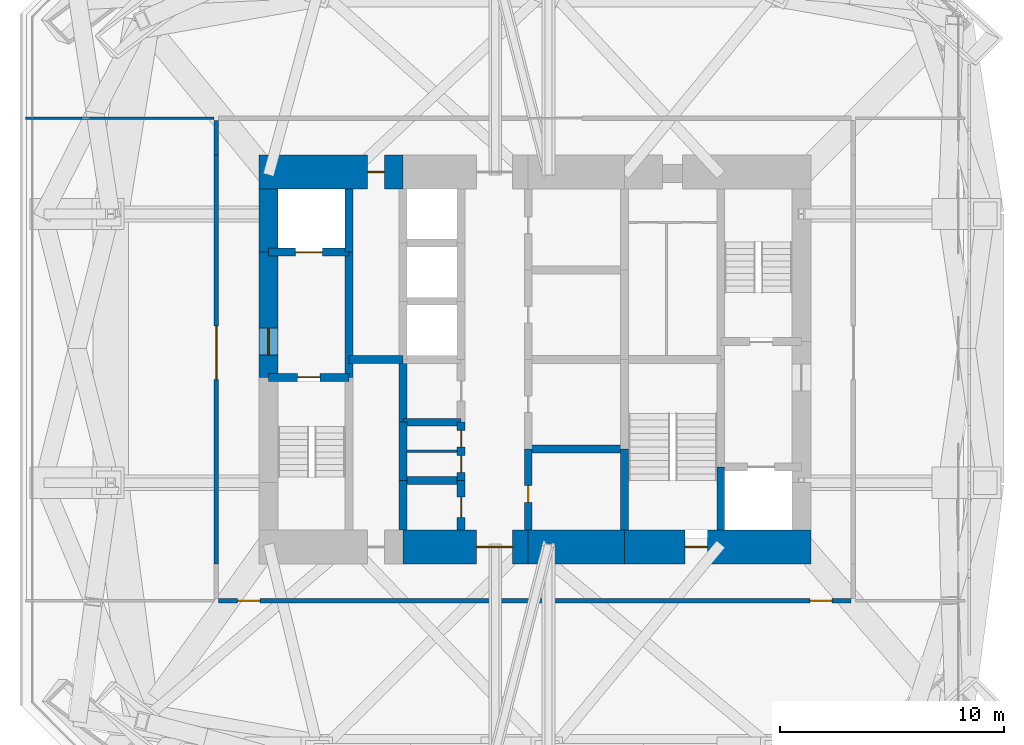
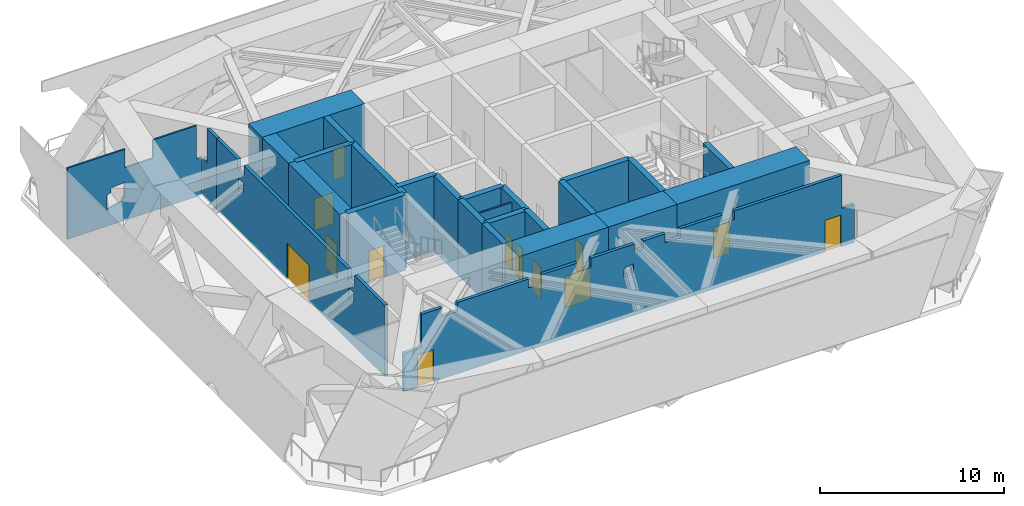
# One storey, part 4 of 8: 27 walls, 13 doors, 13 openings.
"""IFC4 building model written with IfcOpenShell, lengths in metres."""

from ifc_helpers import new_model, si_unit, direction, frame, frame_2d, origin, place, context, subcontext, project, spatial, polyline, rectangle, outline, extrude, material, layer, layer_set, constituent, constituent_set, type_object, element, fill, save


model = new_model("IFC4")

# Units and contexts
model_context = context("Model", 3, precision=1e-05, world=origin(), true_north=direction((0.0, 1.0)))
body_context = subcontext(model_context, "Body", "Model", "MODEL_VIEW")
ifc_project = project(units=[si_unit("LENGTHUNIT", "METRE"), si_unit("AREAUNIT", "SQUARE_METRE"), si_unit("VOLUMEUNIT", "CUBIC_METRE"), si_unit("PLANEANGLEUNIT", "RADIAN"), si_unit("MASSUNIT", "GRAM", prefix="KILO")], contexts=[model_context])

# Site, building, storey
site_placement = place(None, origin())
site = spatial("IfcSite", under=ifc_project, at=site_placement, CompositionType="ELEMENT")
building_placement = place(site_placement, origin())
building = spatial("IfcBuilding", under=site, at=building_placement, Name="Jalousie Tower", CompositionType="ELEMENT")
storey_placement = place(building_placement, frame((0.0, 0.0, 149.35009765625)))
storey = spatial("IfcBuildingStorey", under=building, at=storey_placement, Name="L40", CompositionType="ELEMENT", Elevation=149.35009765625)

# Wall, opening, door
ifc_material_1 = material(Name="Concrete f'c 120 MPa", Category="concrete")
ifc_layer_1 = layer(ifc_material_1, 1.5)
ifc_layer_set_1 = layer_set([ifc_layer_1], Name="Concrete f'c 120 MPa")
wall_type_1 = type_object("IfcWallType", Name="CORE WALL 1500", PredefinedType="SHEAR", material=ifc_layer_set_1)
wall_1_placement = place(storey_placement, frame((26.0, 10.125, 0.0), z_axis=(0.0, 0.0, 1.0), x_axis=(1.0, 0.0, 0.0)))
wall_1 = element("IfcWall", 1, at=wall_1_placement, inside=storey, type_object=wall_type_1, Name="Core wall SB L40", PredefinedType="SHEAR", context=body_context, shape_type="SweptSolid", body=[
    extrude(rectangle(XDim=5.60009765625, YDim=1.5, at=frame_2d((2.800048828125, 0.0))), origin(), (0.0, 0.0, 1.0), 5.0),
])
opening_1_placement = place(wall_1_placement, frame((3.300048828125, 0.0, 0.0)))
opening_1 = element("IfcOpeningElement", 2, at=opening_1_placement, cuts=wall_1, Name="Opening D15", PredefinedType="OPENING", context=body_context, shape_type="SweptSolid", body=[
    extrude(rectangle(XDim=1.60009765625, YDim=2.10009765625, at=frame_2d((0.800048828125, 1.050048828125))), frame((0.0, 0.760009765625, 0.0), z_axis=(0.0, -1.0, 0.0), x_axis=(1.0, 0.0, 0.0)), (0.0, 0.0, 1.0), 1.52001953125),
])
ifc_material_2 = material(Name="Steel fire door", Category="steel")
door_type_1 = type_object("IfcDoorType", Name="LIFT LOBBY DOOR 1600", OperationType="DOUBLE_DOOR_SINGLE_SWING", PredefinedType="DOOR", material=ifc_material_2)
door_1_placement = place(opening_1_placement, origin())
door_1 = element("IfcDoor", 3, at=door_1_placement, inside=storey, type_object=door_type_1, Name="Lift lobby south door", OperationType="DOUBLE_DOOR_SINGLE_SWING", OverallHeight=2.10009765625, OverallWidth=1.60009765625, PredefinedType="DOOR", context=body_context, shape_type="SweptSolid", body=[
    extrude(rectangle(XDim=1.60009765625, YDim=2.10009765625, at=frame_2d((0.800048828125, 1.050048828125))), frame((0.0, 0.02490234375, 0.0), z_axis=(0.0, -1.0, 0.0), x_axis=(1.0, 0.0, 0.0)), (0.0, 0.0, 1.0), 0.050048828125),
])
fill(opening_1, door_1)

# Wall
wall_2_placement = place(storey_placement, frame((31.60009765625, 10.125, 0.0), z_axis=(0.0, 0.0, 1.0), x_axis=(1.0, 0.0, 0.0)))
element("IfcWall", 4, at=wall_2_placement, inside=storey, type_object=wall_type_1, Name="Core wall SC L40", PredefinedType="SHEAR", context=body_context, shape_type="SweptSolid", body=[
    extrude(rectangle(XDim=4.2998046875, YDim=1.5, at=frame_2d((2.14990234375, 0.0))), origin(), (0.0, 0.0, 1.0), 5.0),
])

# Wall, opening, door
wall_3_placement = place(storey_placement, frame((35.89990234375, 10.125, 0.0), z_axis=(0.0, 0.0, 1.0), x_axis=(1.0, 0.0, 0.0)))
wall_3 = element("IfcWall", 5, at=wall_3_placement, inside=storey, type_object=wall_type_1, Name="Core wall SD L40", PredefinedType="SHEAR", context=body_context, shape_type="SweptSolid", body=[
    extrude(rectangle(XDim=8.3251953125, YDim=1.5, at=frame_2d((4.16259765625, 0.0))), origin(), (0.0, 0.0, 1.0), 5.0),
])
opening_2_placement = place(wall_3_placement, frame((2.699951171875, 0.0, 0.0)))
opening_2 = element("IfcOpeningElement", 6, at=opening_2_placement, cuts=wall_3, Name="Opening D10", PredefinedType="OPENING", context=body_context, shape_type="SweptSolid", body=[
    extrude(rectangle(XDim=1.0, YDim=2.10009765625, at=frame_2d((0.5, 1.050048828125))), frame((0.0, 0.760009765625, 0.0), z_axis=(0.0, -1.0, 0.0), x_axis=(1.0, 0.0, 0.0)), (0.0, 0.0, 1.0), 1.52001953125),
])
ifc_material_3 = material(Name="Steel fire door", Category="steel")
door_type_2 = type_object("IfcDoorType", Name="STAIR DOOR 1000", OperationType="SINGLE_SWING_LEFT", PredefinedType="DOOR", material=ifc_material_3)
door_2_placement = place(opening_2_placement, origin())
door_2 = element("IfcDoor", 7, at=door_2_placement, inside=storey, type_object=door_type_2, Name="Exit stair C door", OperationType="SINGLE_SWING_RIGHT", OverallHeight=2.10009765625, OverallWidth=1.0, PredefinedType="DOOR", context=body_context, shape_type="SweptSolid", body=[
    extrude(rectangle(XDim=1.0, YDim=2.10009765625, at=frame_2d((0.5, 1.050048828125))), frame((0.0, 0.02490234375, 0.0), z_axis=(0.0, -1.0, 0.0), x_axis=(1.0, 0.0, 0.0)), (0.0, 0.0, 1.0), 0.050048828125),
])
fill(opening_2, door_2)

wall_4_placement = place(storey_placement, frame((26.0, 26.875, 0.0), z_axis=(0.0, 0.0, 1.0), x_axis=(-1.0, 0.0, 0.0)))
wall_4 = element("IfcWall", 8, at=wall_4_placement, inside=storey, type_object=wall_type_1, Name="Core wall ND L40", PredefinedType="SHEAR", context=body_context, shape_type="SweptSolid", body=[
    extrude(rectangle(XDim=6.425048828125, YDim=1.5, at=frame_2d((3.21240234375, 0.0))), origin(), (0.0, 0.0, 1.0), 5.0),
])
opening_3_placement = place(wall_4_placement, frame((0.824951171875, 0.0, 0.0)))
opening_3 = element("IfcOpeningElement", 9, at=opening_3_placement, cuts=wall_4, Name="Opening D16", PredefinedType="OPENING", context=body_context, shape_type="SweptSolid", body=[
    extrude(rectangle(XDim=0.75, YDim=2.10009765625, at=frame_2d((0.375, 1.050048828125))), frame((0.0, 0.760009765625, 0.0), z_axis=(0.0, -1.0, 0.0), x_axis=(1.0, 0.0, 0.0)), (0.0, 0.0, 1.0), 1.52001953125),
])
ifc_material_4 = material(Name="Steel fire door", Category="steel")
door_type_3 = type_object("IfcDoorType", Name="RISER DOOR 750", OperationType="SINGLE_SWING_LEFT", PredefinedType="DOOR", material=ifc_material_4)
door_3_placement = place(opening_3_placement, origin())
door_3 = element("IfcDoor", 10, at=door_3_placement, inside=storey, type_object=door_type_3, Name="North riser door", OperationType="SINGLE_SWING_RIGHT", OverallHeight=2.10009765625, OverallWidth=0.75, PredefinedType="DOOR", context=body_context, shape_type="SweptSolid", body=[
    extrude(rectangle(XDim=0.75, YDim=2.10009765625, at=frame_2d((0.375, 1.050048828125))), frame((0.0, 0.02490234375, 0.0), z_axis=(0.0, -1.0, 0.0), x_axis=(1.0, 0.0, 0.0)), (0.0, 0.0, 1.0), 0.050048828125),
])
fill(opening_3, door_3)

# Walls
ifc_material_5 = material(Name="Concrete f'c 120 MPa", Category="concrete")
ifc_layer_2 = layer(ifc_material_5, 0.35009765625)
ifc_layer_set_2 = layer_set([ifc_layer_2], Name="Concrete f'c 120 MPa")
wall_type_2 = type_object("IfcWallType", Name="CORE WALL 350", PredefinedType="SHEAR", material=ifc_layer_set_2)
wall_5_placement = place(storey_placement, frame((23.60009765625, 17.699951171875, 0.0), z_axis=(0.0, 0.0, 1.0), x_axis=(0.0, 1.0, 0.0)))
element("IfcWall", 11, at=wall_5_placement, inside=storey, type_object=wall_type_2, Name="Core wall X23.6B L40", PredefinedType="SHEAR", context=body_context, shape_type="SweptSolid", body=[
    extrude(rectangle(XDim=5.60009765625, YDim=0.35009765625, at=frame_2d((2.800048828125, 0.0))), origin(), (0.0, 0.0, 1.0), 5.0),
])
wall_6_placement = place(storey_placement, frame((23.60009765625, 23.300048828125, 0.0), z_axis=(0.0, 0.0, 1.0), x_axis=(0.0, 1.0, 0.0)))
element("IfcWall", 12, at=wall_6_placement, inside=storey, type_object=wall_type_2, Name="Core wall X23.6C L40", PredefinedType="SHEAR", context=body_context, shape_type="SweptSolid", body=[
    extrude(rectangle(XDim=2.824951171875, YDim=0.35009765625, at=frame_2d((1.41259765625, 0.0))), origin(), (0.0, 0.0, 1.0), 5.0),
])
wall_7_placement = place(storey_placement, frame((26.0, 10.875, 0.0), z_axis=(0.0, 0.0, 1.0), x_axis=(0.0, 1.0, 0.0)))
element("IfcWall", 13, at=wall_7_placement, inside=storey, type_object=wall_type_2, Name="Core wall X26A L40", PredefinedType="SHEAR", context=body_context, shape_type="SweptSolid", body=[
    extrude(rectangle(XDim=2.22509765625, YDim=0.35009765625, at=frame_2d((1.112548828125, 0.0))), origin(), (0.0, 0.0, 1.0), 5.0),
])
wall_8_placement = place(storey_placement, frame((26.0, 13.10009765625, 0.0), z_axis=(0.0, 0.0, 1.0), x_axis=(0.0, 1.0, 0.0)))
element("IfcWall", 14, at=wall_8_placement, inside=storey, type_object=wall_type_2, Name="Core wall X26B L40", PredefinedType="SHEAR", context=body_context, shape_type="SweptSolid", body=[
    extrude(rectangle(XDim=2.599853515625, YDim=0.35009765625, at=frame_2d((1.2998046875, 0.0))), origin(), (0.0, 0.0, 1.0), 5.0),
])
wall_9_placement = place(storey_placement, frame((26.0, 15.699951171875, 0.0), z_axis=(0.0, 0.0, 1.0), x_axis=(0.0, 1.0, 0.0)))
element("IfcWall", 15, at=wall_9_placement, inside=storey, type_object=wall_type_2, Name="Core wall X26C L40", PredefinedType="SHEAR", context=body_context, shape_type="SweptSolid", body=[
    extrude(rectangle(XDim=2.800048828125, YDim=0.35009765625, at=frame_2d((1.39990234375, 0.0))), origin(), (0.0, 0.0, 1.0), 5.0),
])

# Wall, opening, door
wall_10_placement = place(storey_placement, frame((28.60009765625, 10.875, 0.0), z_axis=(0.0, 0.0, 1.0), x_axis=(0.0, 1.0, 0.0)))
wall_10 = element("IfcWall", 16, at=wall_10_placement, inside=storey, type_object=wall_type_2, Name="Core wall X28.6A L40", PredefinedType="SHEAR", context=body_context, shape_type="SweptSolid", body=[
    extrude(rectangle(XDim=2.22509765625, YDim=0.35009765625, at=frame_2d((1.112548828125, 0.0))), origin(), (0.0, 0.0, 1.0), 5.0),
])
opening_4_placement = place(wall_10_placement, frame((0.574951171875, 0.0, 0.0)))
opening_4 = element("IfcOpeningElement", 17, at=opening_4_placement, cuts=wall_10, Name="Opening D24", PredefinedType="OPENING", context=body_context, shape_type="SweptSolid", body=[
    extrude(rectangle(XDim=0.89990234375, YDim=2.10009765625, at=frame_2d((0.449951171875, 1.050048828125))), frame((0.0, 0.18505859375, 0.0), z_axis=(0.0, -1.0, 0.0), x_axis=(1.0, 0.0, 0.0)), (0.0, 0.0, 1.0), 0.3701171875),
])
ifc_material_6 = material(Name="Steel fire door", Category="steel")
door_type_4 = type_object("IfcDoorType", Name="CORE ROOM DOOR 900", OperationType="SINGLE_SWING_LEFT", PredefinedType="DOOR", material=ifc_material_6)
door_4_placement = place(opening_4_placement, origin())
door_4 = element("IfcDoor", 18, at=door_4_placement, inside=storey, type_object=door_type_4, Name="Maintenance store door", OperationType="SINGLE_SWING_RIGHT", OverallHeight=2.10009765625, OverallWidth=0.89990234375, PredefinedType="DOOR", context=body_context, shape_type="SweptSolid", body=[
    extrude(rectangle(XDim=0.89990234375, YDim=2.10009765625, at=frame_2d((0.449951171875, 1.050048828125))), frame((0.0, 0.02490234375, 0.0), z_axis=(0.0, -1.0, 0.0), x_axis=(1.0, 0.0, 0.0)), (0.0, 0.0, 1.0), 0.050048828125),
])
fill(opening_4, door_4)

# Wall, openings, doors
wall_11_placement = place(storey_placement, frame((28.60009765625, 13.10009765625, 0.0), z_axis=(0.0, 0.0, 1.0), x_axis=(0.0, 1.0, 0.0)))
wall_11 = element("IfcWall", 19, at=wall_11_placement, inside=storey, type_object=wall_type_2, Name="Core wall X28.6B L40", PredefinedType="SHEAR", context=body_context, shape_type="SweptSolid", body=[
    extrude(rectangle(XDim=2.599853515625, YDim=0.35009765625, at=frame_2d((1.2998046875, 0.0))), origin(), (0.0, 0.0, 1.0), 5.0),
])
opening_5_placement = place(wall_11_placement, frame((0.362548828125, 0.0, 0.0)))
opening_5 = element("IfcOpeningElement", 20, at=opening_5_placement, cuts=wall_11, Name="Opening D27", PredefinedType="OPENING", context=body_context, shape_type="SweptSolid", body=[
    extrude(rectangle(XDim=0.75, YDim=2.10009765625, at=frame_2d((0.375, 1.050048828125))), frame((0.0, 0.18505859375, 0.0), z_axis=(0.0, -1.0, 0.0), x_axis=(1.0, 0.0, 0.0)), (0.0, 0.0, 1.0), 0.3701171875),
])
opening_6_placement = place(wall_11_placement, frame((1.487548828125, 0.0, 0.0)))
opening_6 = element("IfcOpeningElement", 21, at=opening_6_placement, cuts=wall_11, Name="Opening D27", PredefinedType="OPENING", context=body_context, shape_type="SweptSolid", body=[
    extrude(rectangle(XDim=0.75, YDim=2.10009765625, at=frame_2d((0.375, 1.050048828125))), frame((0.0, 0.18505859375, 0.0), z_axis=(0.0, -1.0, 0.0), x_axis=(1.0, 0.0, 0.0)), (0.0, 0.0, 1.0), 0.3701171875),
])
ifc_material_7 = material(Name="Steel fire door", Category="steel")
door_type_5 = type_object("IfcDoorType", Name="CORE ROOM DOOR 750", OperationType="SINGLE_SWING_LEFT", PredefinedType="DOOR", material=ifc_material_7)
door_5_placement = place(opening_5_placement, origin())
door_5 = element("IfcDoor", 22, at=door_5_placement, inside=storey, type_object=door_type_5, Name="Plant spares store door", OperationType="SINGLE_SWING_RIGHT", OverallHeight=2.10009765625, OverallWidth=0.75, PredefinedType="DOOR", context=body_context, shape_type="SweptSolid", body=[
    extrude(rectangle(XDim=0.75, YDim=2.10009765625, at=frame_2d((0.375, 1.050048828125))), frame((0.0, 0.02490234375, 0.0), z_axis=(0.0, -1.0, 0.0), x_axis=(1.0, 0.0, 0.0)), (0.0, 0.0, 1.0), 0.050048828125),
])
fill(opening_5, door_5)
door_6_placement = place(opening_6_placement, origin())
door_6 = element("IfcDoor", 23, at=door_6_placement, inside=storey, type_object=door_type_5, Name="Store door", OperationType="SINGLE_SWING_LEFT", OverallHeight=2.10009765625, OverallWidth=0.75, PredefinedType="DOOR", context=body_context, shape_type="SweptSolid", body=[
    extrude(rectangle(XDim=0.75, YDim=2.10009765625, at=frame_2d((0.375, 1.050048828125))), frame((0.0, 0.02490234375, 0.0), z_axis=(0.0, -1.0, 0.0), x_axis=(1.0, 0.0, 0.0)), (0.0, 0.0, 1.0), 0.050048828125),
])
fill(opening_6, door_6)

# Wall, opening, door
wall_12_placement = place(storey_placement, frame((31.60009765625, 10.875, 0.0), z_axis=(0.0, 0.0, 1.0), x_axis=(0.0, 1.0, 0.0)))
wall_12 = element("IfcWall", 24, at=wall_12_placement, inside=storey, type_object=wall_type_2, Name="Core wall X31.6A L40", PredefinedType="SHEAR", context=body_context, shape_type="SweptSolid", body=[
    extrude(rectangle(XDim=3.625, YDim=0.35009765625, at=frame_2d((1.8125, 0.0))), origin(), (0.0, 0.0, 1.0), 5.0),
])
opening_7_placement = place(wall_12_placement, frame((1.25, 0.0, 0.0)))
opening_7 = element("IfcOpeningElement", 25, at=opening_7_placement, cuts=wall_12, Name="Opening D16", PredefinedType="OPENING", context=body_context, shape_type="SweptSolid", body=[
    extrude(rectangle(XDim=0.75, YDim=2.10009765625, at=frame_2d((0.375, 1.050048828125))), frame((0.0, 0.18505859375, 0.0), z_axis=(0.0, -1.0, 0.0), x_axis=(1.0, 0.0, 0.0)), (0.0, 0.0, 1.0), 0.3701171875),
])
door_7_placement = place(opening_7_placement, frame((0.75, 0.0, 0.0), z_axis=(0.0, 0.0, 1.0), x_axis=(-1.0, 0.0, 0.0)))
door_7 = element("IfcDoor", 26, at=door_7_placement, inside=storey, type_object=door_type_3, Name="Refuse Room door", OperationType="SINGLE_SWING_RIGHT", OverallHeight=2.10009765625, OverallWidth=0.75, PredefinedType="DOOR", context=body_context, shape_type="SweptSolid", body=[
    extrude(rectangle(XDim=0.75, YDim=2.10009765625, at=frame_2d((0.375, 1.050048828125))), frame((0.0, 0.02490234375, 0.0), z_axis=(0.0, -1.0, 0.0), x_axis=(1.0, 0.0, 0.0)), (0.0, 0.0, 1.0), 0.050048828125),
])
fill(opening_7, door_7)

# Walls
wall_13_placement = place(storey_placement, frame((35.89990234375, 10.875, 0.0), z_axis=(0.0, 0.0, 1.0), x_axis=(0.0, 1.0, 0.0)))
element("IfcWall", 27, at=wall_13_placement, inside=storey, type_object=wall_type_2, Name="Core wall X35.9A L40", PredefinedType="SHEAR", context=body_context, shape_type="SweptSolid", body=[
    extrude(rectangle(XDim=3.625, YDim=0.35009765625, at=frame_2d((1.8125, 0.0))), origin(), (0.0, 0.0, 1.0), 5.0),
])
wall_14_placement = place(storey_placement, frame((40.199951171875, 10.875, 0.0), z_axis=(0.0, 0.0, 1.0), x_axis=(0.0, 1.0, 0.0)))
element("IfcWall", 28, at=wall_14_placement, inside=storey, type_object=wall_type_2, Name="Core wall X40.2A L40", PredefinedType="SHEAR", context=body_context, shape_type="SweptSolid", body=[
    extrude(rectangle(XDim=2.824951171875, YDim=0.35009765625, at=frame_2d((1.41259765625, 0.0))), origin(), (0.0, 0.0, 1.0), 5.0),
])

# Wall, opening, door
wall_15_placement = place(storey_placement, frame((20.0, 17.699951171875, 0.0), z_axis=(0.0, 0.0, 1.0), x_axis=(1.0, 0.0, 0.0)))
wall_15 = element("IfcWall", 29, at=wall_15_placement, inside=storey, type_object=wall_type_2, Name="Core wall Y20-17.7 L40", PredefinedType="SHEAR", context=body_context, shape_type="SweptSolid", body=[
    extrude(rectangle(XDim=3.60009765625, YDim=0.35009765625, at=frame_2d((1.800048828125, 0.0))), origin(), (0.0, 0.0, 1.0), 5.0),
])
opening_8_placement = place(wall_15_placement, frame((1.300048828125, 0.0, 0.0)))
opening_8 = element("IfcOpeningElement", 30, at=opening_8_placement, cuts=wall_15, Name="Opening D10", PredefinedType="OPENING", context=body_context, shape_type="SweptSolid", body=[
    extrude(rectangle(XDim=1.0, YDim=2.10009765625, at=frame_2d((0.5, 1.050048828125))), frame((0.0, 0.18505859375, 0.0), z_axis=(0.0, -1.0, 0.0), x_axis=(1.0, 0.0, 0.0)), (0.0, 0.0, 1.0), 0.3701171875),
])
door_8_placement = place(opening_8_placement, frame((1.0, 0.0, 0.0), z_axis=(0.0, 0.0, 1.0), x_axis=(-1.0, 0.0, 0.0)))
door_8 = element("IfcDoor", 31, at=door_8_placement, inside=storey, type_object=door_type_2, Name="Exit stair A door", OperationType="SINGLE_SWING_RIGHT", OverallHeight=2.10009765625, OverallWidth=1.0, PredefinedType="DOOR", context=body_context, shape_type="SweptSolid", body=[
    extrude(rectangle(XDim=1.0, YDim=2.10009765625, at=frame_2d((0.5, 1.050048828125))), frame((0.0, 0.02490234375, 0.0), z_axis=(0.0, -1.0, 0.0), x_axis=(1.0, 0.0, 0.0)), (0.0, 0.0, 1.0), 0.050048828125),
])
fill(opening_8, door_8)

wall_16_placement = place(storey_placement, frame((20.0, 23.300048828125, 0.0), z_axis=(0.0, 0.0, 1.0), x_axis=(1.0, 0.0, 0.0)))
wall_16 = element("IfcWall", 32, at=wall_16_placement, inside=storey, type_object=wall_type_2, Name="Core wall Y20-23.3 L40", PredefinedType="SHEAR", context=body_context, shape_type="SweptSolid", body=[
    extrude(rectangle(XDim=3.60009765625, YDim=0.35009765625, at=frame_2d((1.800048828125, 0.0))), origin(), (0.0, 0.0, 1.0), 5.0),
])
opening_9_placement = place(wall_16_placement, frame((1.199951171875, 0.0, 0.0)))
opening_9 = element("IfcOpeningElement", 33, at=opening_9_placement, cuts=wall_16, Name="Opening LD2", PredefinedType="OPENING", context=body_context, shape_type="SweptSolid", body=[
    extrude(rectangle(XDim=1.199951171875, YDim=2.10009765625, at=frame_2d((0.60009765625, 1.050048828125))), frame((0.0, 0.18505859375, 0.0), z_axis=(0.0, -1.0, 0.0), x_axis=(1.0, 0.0, 0.0)), (0.0, 0.0, 1.0), 0.3701171875),
])
ifc_material_8 = material(Name="Steel lift landing door", Category="steel")
door_type_6 = type_object("IfcDoorType", Name="LIFT LANDING DOOR 1200", OperationType="SLIDING_TO_LEFT", PredefinedType="DOOR", material=ifc_material_8)
door_9_placement = place(opening_9_placement, origin())
door_9 = element("IfcDoor", 34, at=door_9_placement, inside=storey, type_object=door_type_6, Name="Lift F1 landing door", OperationType="SLIDING_TO_LEFT", OverallHeight=2.10009765625, OverallWidth=1.199951171875, PredefinedType="DOOR", context=body_context, shape_type="SweptSolid", body=[
    extrude(rectangle(XDim=1.199951171875, YDim=2.10009765625, at=frame_2d((0.60009765625, 1.050048828125))), frame((0.0, 0.02490234375, 0.0), z_axis=(0.0, -1.0, 0.0), x_axis=(1.0, 0.0, 0.0)), (0.0, 0.0, 1.0), 0.050048828125),
])
fill(opening_9, door_9)

# Walls
wall_17_placement = place(storey_placement, frame((23.60009765625, 18.5, 0.0), z_axis=(0.0, 0.0, 1.0), x_axis=(1.0, 0.0, 0.0)))
element("IfcWall", 35, at=wall_17_placement, inside=storey, type_object=wall_type_2, Name="Core wall Y23.6-18.5 L40", PredefinedType="SHEAR", context=body_context, shape_type="SweptSolid", body=[
    extrude(rectangle(XDim=2.39990234375, YDim=0.35009765625, at=frame_2d((1.199951171875, 0.0))), origin(), (0.0, 0.0, 1.0), 5.0),
])
for number, where, z_axis, x_axis, name in (
    (36, (26.0, 13.10009765625, 0.0), (0.0, 0.0, 1.0), (1.0, 0.0, 0.0), "Core wall Y26-13.1 L40"),
    (37, (26.0, 15.699951171875, 0.0), (0.0, 0.0, 1.0), (1.0, 0.0, 0.0), "Core wall Y26-15.7 L40"),
):
    element("IfcWall", number, at=place(storey_placement, frame(where, z_axis=z_axis, x_axis=x_axis)), inside=storey, type_object=wall_type_2, Name=name, PredefinedType="SHEAR", context=body_context, shape_type="SweptSolid", body=[
        extrude(rectangle(XDim=2.60009765625, YDim=0.35009765625, at=frame_2d((1.300048828125, 0.0))), origin(), (0.0, 0.0, 1.0), 5.0),
    ])
wall_18_placement = place(storey_placement, frame((31.60009765625, 14.5, 0.0), z_axis=(0.0, 0.0, 1.0), x_axis=(1.0, 0.0, 0.0)))
element("IfcWall", 38, at=wall_18_placement, inside=storey, type_object=wall_type_2, Name="Core wall Y31.6-14.5 L40", PredefinedType="SHEAR", context=body_context, shape_type="SweptSolid", body=[
    extrude(rectangle(XDim=4.2998046875, YDim=0.35009765625, at=frame_2d((2.14990234375, 0.0))), origin(), (0.0, 0.0, 1.0), 5.0),
])
ifc_material_9 = material(Name="Concrete f'c 120 MPa", Category="concrete")
ifc_layer_3 = layer(ifc_material_9, 0.85009765625)
ifc_layer_set_3 = layer_set([ifc_layer_3], Name="Concrete f'c 120 MPa")
wall_type_3 = type_object("IfcWallType", Name="CORE WALL 850", PredefinedType="SHEAR", material=ifc_layer_set_3)
wall_19_placement = place(storey_placement, frame((20.0, 26.125, 0.0), z_axis=(0.0, 0.0, 1.0), x_axis=(0.0, -1.0, 0.0)))
element("IfcWall", 39, at=wall_19_placement, inside=storey, type_object=wall_type_3, Name="Core wall WA L40", PredefinedType="SHEAR", context=body_context, shape_type="SweptSolid", body=[
    extrude(rectangle(XDim=2.824951171875, YDim=0.85009765625, at=frame_2d((1.41259765625, 0.0))), origin(), (0.0, 0.0, 1.0), 5.0),
])

# Wall, opening, door
wall_20_placement = place(storey_placement, frame((20.0, 23.300048828125, 0.0), z_axis=(0.0, 0.0, 1.0), x_axis=(0.0, -1.0, 0.0)))
wall_20 = element("IfcWall", 40, at=wall_20_placement, inside=storey, type_object=wall_type_3, Name="Core wall WB L40", PredefinedType="SHEAR", context=body_context, shape_type="SweptSolid", body=[
    extrude(rectangle(XDim=5.60009765625, YDim=0.85009765625, at=frame_2d((2.800048828125, 0.0))), origin(), (0.0, 0.0, 1.0), 5.0),
])
opening_10_placement = place(wall_20_placement, frame((3.39990234375, 0.0, 0.0)))
opening_10 = element("IfcOpeningElement", 41, at=opening_10_placement, cuts=wall_20, Name="Opening D11", PredefinedType="OPENING", context=body_context, shape_type="SweptSolid", body=[
    extrude(rectangle(XDim=1.199951171875, YDim=2.199951171875, at=frame_2d((0.60009765625, 1.10009765625))), frame((0.0, 0.43505859375, 0.0), z_axis=(0.0, -1.0, 0.0), x_axis=(1.0, 0.0, 0.0)), (0.0, 0.0, 1.0), 0.8701171875),
])
ifc_material_10 = material(Name="Steel fire door", Category="steel")
door_type_7 = type_object("IfcDoorType", Name="FIRE DOOR 1200", OperationType="SINGLE_SWING_LEFT", PredefinedType="DOOR", material=ifc_material_10)
door_10_placement = place(opening_10_placement, origin())
door_10 = element("IfcDoor", 42, at=door_10_placement, inside=storey, type_object=door_type_7, Name="Fire-fighting lobby A door", OperationType="SINGLE_SWING_RIGHT", OverallHeight=2.199951171875, OverallWidth=1.199951171875, PredefinedType="DOOR", context=body_context, shape_type="SweptSolid", body=[
    extrude(rectangle(XDim=1.199951171875, YDim=2.199951171875, at=frame_2d((0.60009765625, 1.10009765625))), frame((0.0, 0.02490234375, 0.0), z_axis=(0.0, -1.0, 0.0), x_axis=(1.0, 0.0, 0.0)), (0.0, 0.0, 1.0), 0.050048828125),
])
fill(opening_10, door_10)

# Wall, openings, doors
ifc_material_11 = material(Name="Concrete block ASTM C90", Category="concrete")
ifc_constituent_1 = constituent(ifc_material_11, Name="Body")
ifc_material_12 = material(Name="Render")
ifc_constituent_2 = constituent(ifc_material_12, Name="Finish")
ifc_constituent_set_1 = constituent_set(constituents=[ifc_constituent_1, ifc_constituent_2])
wall_type_4 = type_object("IfcWallType", Name="CORRIDOR WALL 200", PredefinedType="PARTITIONING", material=ifc_constituent_set_1)
wall_21_placement = place(storey_placement, frame((17.77490234375, 7.72509765625, 0.0), z_axis=(0.0, 0.0, 1.0), x_axis=(1.0, 0.0, 0.0)))
wall_21 = element("IfcWall", 43, at=wall_21_placement, inside=storey, type_object=wall_type_4, Name="Corridor Wall 200 L40", PredefinedType="PARTITIONING", context=body_context, shape_type="SweptSolid", body=[
    extrude(outline(polyline([(0.0, 0.0), (28.25, 0.0), (28.25, 2.52001953125), (27.4658203125, 2.52001953125), (27.4658203125, 4.719970703125), (20.723876953125, 4.719970703125), (20.723876953125, 4.140869140625), (19.945068359375, 4.140869140625), (19.945068359375, 4.719970703125), (17.3408203125, 4.719970703125), (17.3408203125, 4.140869140625), (16.363525390625, 4.140869140625), (16.363525390625, 4.719970703125), (15.009521484375, 4.719970703125), (15.009521484375, 4.2080078125), (14.4404296875, 4.2080078125), (14.4404296875, 4.719970703125), (11.721923828125, 4.719970703125), (11.721923828125, 4.140869140625), (10.85107421875, 4.140869140625), (10.85107421875, 4.719970703125), (8.6640625, 4.719970703125), (8.6640625, 4.140869140625), (7.81884765625, 4.140869140625), (7.81884765625, 4.719970703125), (3.349365234375, 4.719970703125), (3.349365234375, 4.140869140625), (2.3876953125, 4.140869140625), (2.3876953125, 4.719970703125), (1.105224609375, 4.719970703125), (1.105224609375, 2.52001953125), (0.0, 2.52001953125), (0.0, 0.0)]), holes=[polyline([(13.77978515625, 3.238525390625), (13.834228515625, 3.35302734375), (14.380615234375, 3.42333984375), (14.380615234375, 2.917236328125), (14.326171875, 2.802734375), (13.77978515625, 2.732421875), (13.77978515625, 3.238525390625)])]), frame((0.0, 0.10009765625, 0.0), z_axis=(0.0, -1.0, 0.0), x_axis=(1.0, 0.0, 0.0)), (0.0, 0.0, 1.0), 0.199951171875),
])
opening_11_placement = place(wall_21_placement, frame((0.85009765625, 0.0, 0.0)))
opening_11 = element("IfcOpeningElement", 44, at=opening_11_placement, cuts=wall_21, Name="Opening D21", PredefinedType="OPENING", context=body_context, shape_type="SweptSolid", body=[
    extrude(rectangle(XDim=1.0, YDim=2.10009765625, at=frame_2d((0.5, 1.050048828125))), frame((0.0, 0.10986328125, 0.0), z_axis=(0.0, -1.0, 0.0), x_axis=(1.0, 0.0, 0.0)), (0.0, 0.0, 1.0), 0.219970703125),
])
opening_12_placement = place(wall_21_placement, frame((26.39990234375, 0.0, 0.0)))
opening_12 = element("IfcOpeningElement", 45, at=opening_12_placement, cuts=wall_21, Name="Opening D21", PredefinedType="OPENING", context=body_context, shape_type="SweptSolid", body=[
    extrude(rectangle(XDim=1.0, YDim=2.10009765625, at=frame_2d((0.5, 1.050048828125))), frame((0.0, 0.10986328125, 0.0), z_axis=(0.0, -1.0, 0.0), x_axis=(1.0, 0.0, 0.0)), (0.0, 0.0, 1.0), 0.219970703125),
])
ifc_material_13 = material(Name="Timber fire door", Category="wood")
door_type_8 = type_object("IfcDoorType", Name="CORRIDOR DOOR 1000", OperationType="SINGLE_SWING_LEFT", PredefinedType="DOOR", material=ifc_material_13)
door_11_placement = place(opening_11_placement, frame((1.0, 0.0, 0.0), z_axis=(0.0, 0.0, 1.0), x_axis=(-1.0, 0.0, 0.0)))
door_11 = element("IfcDoor", 46, at=door_11_placement, inside=storey, type_object=door_type_8, Name="Refuge area door", OperationType="SINGLE_SWING_RIGHT", OverallHeight=2.10009765625, OverallWidth=1.0, PredefinedType="DOOR", context=body_context, shape_type="SweptSolid", body=[
    extrude(rectangle(XDim=1.0, YDim=2.10009765625, at=frame_2d((0.5, 1.050048828125))), frame((0.0, 0.02490234375, 0.0), z_axis=(0.0, -1.0, 0.0), x_axis=(1.0, 0.0, 0.0)), (0.0, 0.0, 1.0), 0.050048828125),
])
fill(opening_11, door_11)
door_12_placement = place(opening_12_placement, frame((1.0, 0.0, 0.0), z_axis=(0.0, 0.0, 1.0), x_axis=(-1.0, 0.0, 0.0)))
door_12 = element("IfcDoor", 47, at=door_12_placement, inside=storey, type_object=door_type_8, Name="Refuge area second door", OperationType="SINGLE_SWING_LEFT", OverallHeight=2.10009765625, OverallWidth=1.0, PredefinedType="DOOR", context=body_context, shape_type="SweptSolid", body=[
    extrude(rectangle(XDim=1.0, YDim=2.10009765625, at=frame_2d((0.5, 1.050048828125))), frame((0.0, 0.02490234375, 0.0), z_axis=(0.0, -1.0, 0.0), x_axis=(1.0, 0.0, 0.0)), (0.0, 0.0, 1.0), 0.050048828125),
])
fill(opening_12, door_12)

# Wall
wall_22_placement = place(storey_placement, frame((17.675048828125, 27.625, 0.0), z_axis=(0.0, 0.0, 1.0), x_axis=(0.0, 1.0, 0.0)))
element("IfcWall", 48, at=wall_22_placement, inside=storey, type_object=wall_type_4, Name="Corridor Wall 200 L40", PredefinedType="PARTITIONING", context=body_context, shape_type="SweptSolid", body=[
    extrude(outline(polyline([(0.0, 0.0), (1.550048828125, 0.0), (1.550048828125, 2.52001953125), (1.052978515625, 2.52001953125), (1.052978515625, 4.719970703125), (0.0, 4.719970703125), (0.0, 0.0)])), frame((0.0, 0.10009765625, 0.0), z_axis=(0.0, -1.0, 0.0), x_axis=(1.0, 0.0, 0.0)), (0.0, 0.0, 1.0), 0.199951171875),
])

# Wall, opening, door
wall_23_placement = place(storey_placement, frame((17.675048828125, 9.375, 0.0), z_axis=(0.0, 0.0, 1.0), x_axis=(0.0, 1.0, 0.0)))
wall_23 = element("IfcWall", 49, at=wall_23_placement, inside=storey, type_object=wall_type_4, Name="Corridor Wall 200 L40", PredefinedType="PARTITIONING", context=body_context, shape_type="SweptSolid", body=[
    extrude(outline(polyline([(18.25, 0.0), (18.25, 4.719970703125), (15.97509765625, 4.719970703125), (15.97509765625, 4.02001953125), (15.27490234375, 4.02001953125), (15.27490234375, 4.719970703125), (3.97509765625, 4.719970703125), (3.97509765625, 4.02001953125), (3.27490234375, 4.02001953125), (3.27490234375, 4.719970703125), (0.0, 4.719970703125), (0.0, 0.0), (18.25, 0.0)]), holes=[polyline([(3.396484375, 2.834716796875), (3.396484375, 3.53271484375), (3.853515625, 3.53271484375), (3.853515625, 2.834716796875), (3.396484375, 2.834716796875)]), polyline([(15.396484375, 2.834716796875), (15.396484375, 3.53271484375), (15.853515625, 3.53271484375), (15.853515625, 2.834716796875), (15.396484375, 2.834716796875)])]), frame((0.0, 0.10009765625, 0.0), z_axis=(0.0, -1.0, 0.0), x_axis=(1.0, 0.0, 0.0)), (0.0, 0.0, 1.0), 0.199951171875),
])
opening_13_placement = place(wall_23_placement, frame((8.22509765625, 0.0, 0.0)))
opening_13 = element("IfcOpeningElement", 50, at=opening_13_placement, cuts=wall_23, Name="Opening D9", PredefinedType="OPENING", context=body_context, shape_type="SweptSolid", body=[
    extrude(rectangle(XDim=2.39990234375, YDim=2.39990234375, at=frame_2d((1.199951171875, 1.199951171875))), frame((0.0, 0.10986328125, 0.0), z_axis=(0.0, -1.0, 0.0), x_axis=(1.0, 0.0, 0.0)), (0.0, 0.0, 1.0), 0.219970703125),
])
ifc_material_14 = material(Name="Steel fire door", Category="steel")
door_type_9 = type_object("IfcDoorType", Name="PLANT DOOR 2400", OperationType="DOUBLE_DOOR_SINGLE_SWING", PredefinedType="DOOR", material=ifc_material_14)
door_13_placement = place(opening_13_placement, origin())
door_13 = element("IfcDoor", 51, at=door_13_placement, inside=storey, type_object=door_type_9, Name="Air handling plant room door", OperationType="DOUBLE_DOOR_SINGLE_SWING", OverallHeight=2.39990234375, OverallWidth=2.39990234375, PredefinedType="DOOR", context=body_context, shape_type="SweptSolid", body=[
    extrude(rectangle(XDim=2.39990234375, YDim=2.39990234375, at=frame_2d((1.199951171875, 1.199951171875))), frame((0.0, 0.02490234375, 0.0), z_axis=(0.0, -1.0, 0.0), x_axis=(1.0, 0.0, 0.0)), (0.0, 0.0, 1.0), 0.050048828125),
])
fill(opening_13, door_13)

# Walls
ifc_material_15 = material(Name="Gypsum board", Category="gypsum")
ifc_constituent_3 = constituent(ifc_material_15, Name="Body")
ifc_material_16 = material(Name="Light-gauge steel studs ASTM A653 SS Grade 33", Category="steel")
ifc_constituent_4 = constituent(ifc_material_16, Name="Framing")
ifc_constituent_set_2 = constituent_set(constituents=[ifc_constituent_3, ifc_constituent_4])
wall_type_5 = type_object("IfcWallType", Name="PARTITION 100", PredefinedType="PARTITIONING", material=ifc_constituent_set_2)
wall_24_placement = place(storey_placement, frame((9.14990234375, 29.27490234375, 0.0), z_axis=(0.0, 0.0, 1.0), x_axis=(1.0, 0.0, 0.0)))
element("IfcWall", 52, at=wall_24_placement, inside=storey, type_object=wall_type_5, Name="Partition 100 L40", PredefinedType="PARTITIONING", context=body_context, shape_type="SweptSolid", body=[
    extrude(outline(polyline([(3.619873046875, 4.719970703125), (0.0, 4.719970703125), (0.0, 0.0), (8.425048828125, 0.0), (8.425048828125, 2.52001953125), (8.09521484375, 2.52001953125), (8.09521484375, 4.719970703125), (5.3623046875, 4.719970703125), (5.3623046875, 3.5), (3.619873046875, 3.5), (3.619873046875, 4.719970703125)]), holes=[polyline([(2.48974609375, 1.1240234375), (2.48974609375, 2.040283203125), (2.54541015625, 2.103515625), (2.720947265625, 2.144287109375), (2.720947265625, 2.396484375), (2.738525390625, 2.45703125), (3.565673828125, 2.522216796875), (3.565673828125, 1.6083984375), (3.548095703125, 1.548095703125), (3.4580078125, 1.541015625), (3.4580078125, 1.400390625), (3.402587890625, 1.33740234375), (2.48974609375, 1.1240234375)])]), frame((0.0, 0.050048828125, 0.0), z_axis=(0.0, -1.0, 0.0), x_axis=(1.0, 0.0, 0.0)), (0.0, 0.0, 1.0), 0.10009765625),
])
wall_25_placement = place(storey_placement, frame((26.175048828125, 14.39990234375, 0.0), z_axis=(0.0, 0.0, 1.0), x_axis=(1.0, 0.0, 0.0)))
element("IfcWall", 53, at=wall_25_placement, inside=storey, type_object=wall_type_5, Name="Partition 100 L40", PredefinedType="PARTITIONING", context=body_context, shape_type="SweptSolid", body=[
    extrude(rectangle(XDim=2.25, YDim=0.10009765625, at=frame_2d((1.125, 0.0))), origin(), (0.0, 0.0, 1.0), 4.719970703125),
])

save(model, "model.ifc")
